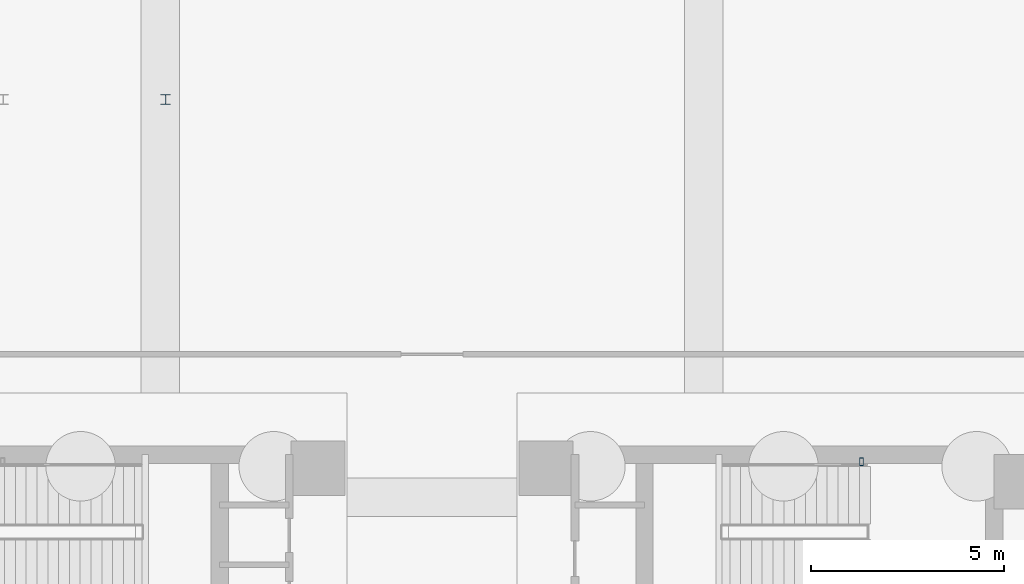
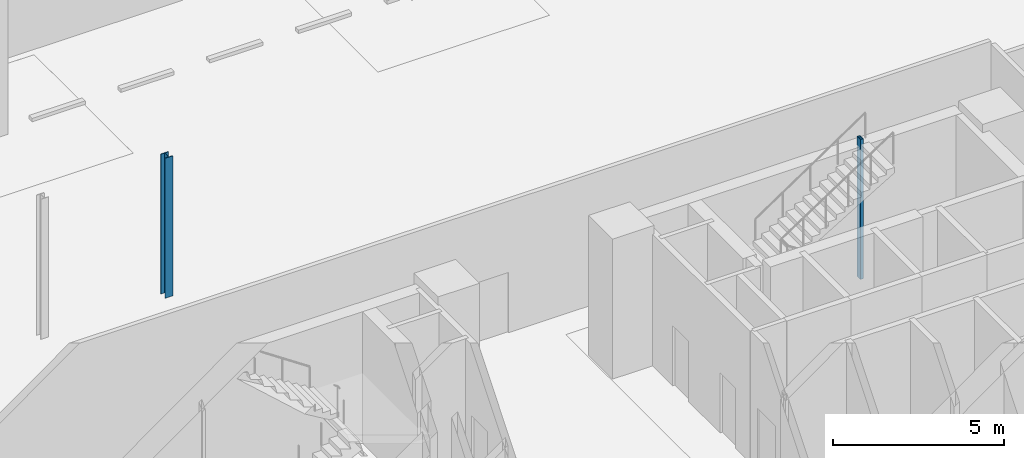
# One storey, part 7 of 16: 2 columns.
"""IFC4 building model written with IfcOpenShell, lengths in metres."""

from ifc_helpers import new_model, si_unit, direction, frame, origin, origin_2d, place, context, subcontext, project, spatial, hollow_rectangle, i_section, extrude, material, material_profile, profile_set, type_object, element, save


model = new_model("IFC4")

# Units and contexts
model_context = context("Model", 3, precision=1e-05, world=origin(), true_north=direction((0.0, 1.0)))
body_context = subcontext(model_context, "Body", "Model", "MODEL_VIEW")
ifc_project = project(units=[si_unit("LENGTHUNIT", "METRE"), si_unit("AREAUNIT", "SQUARE_METRE"), si_unit("VOLUMEUNIT", "CUBIC_METRE"), si_unit("PLANEANGLEUNIT", "RADIAN"), si_unit("MASSUNIT", "GRAM", prefix="KILO")], contexts=[model_context])

# Site, building, storey
site_placement = place(None, origin())
site = spatial("IfcSite", under=ifc_project, at=site_placement, CompositionType="ELEMENT")
building_placement = place(site_placement, origin())
building = spatial("IfcBuilding", under=site, at=building_placement, Name="Menara Jurai Vektor", CompositionType="ELEMENT")
storey_placement = place(building_placement, frame((0.0, 0.0, -5.0)))
storey = spatial("IfcBuildingStorey", under=building, at=storey_placement, Name="B1", CompositionType="ELEMENT", Elevation=-5.0)

# Columns
ifc_material = material(Name="Steel S355", Category="steel")
ifc_material_profile_1 = material_profile(ifc_material, i_section(OverallWidth=0.259033203125, OverallDepth=0.26708984375, WebThickness=0.012939453125, FlangeThickness=0.02099609375, FilletRadius=0.012939453125, at=origin_2d()), Name="UKC 254x254x107")
ifc_profile_set_1 = profile_set([ifc_material_profile_1], Name="Steel S355")
column_type_1 = type_object("IfcColumnType", Name="STR-COL-CANOPY", PredefinedType="COLUMN", material=ifc_profile_set_1)
column_1_placement = place(storey_placement, frame((-6.89990234375, 14.800048828125, 0.0), z_axis=(0.0, 0.0, 1.0), x_axis=(1.0, 0.0, 0.0)))
element("IfcColumn", 1, at=column_1_placement, inside=storey, type_object=column_type_1, Name="Canopy Support Sub-Column E4-2 B1", PredefinedType="COLUMN", context=body_context, shape_type="SweptSolid", body=[
    extrude(i_section(OverallWidth=0.259033203125, OverallDepth=0.26708984375, WebThickness=0.012939453125, FlangeThickness=0.02099609375, FilletRadius=0.012939453125, at=origin_2d()), origin(), (0.0, 0.0, 1.0), 5.0),
])
ifc_material_profile_2 = material_profile(ifc_material, hollow_rectangle(XDim=0.10009765625, YDim=0.199951171875, WallThickness=0.008056640625, at=origin_2d()), Name="RHS 200x100x8")
ifc_profile_set_2 = profile_set([ifc_material_profile_2], Name="Steel S355")
column_type_2 = type_object("IfcColumnType", Name="STR-COL-STAIR", PredefinedType="COLUMN", material=ifc_profile_set_2)
column_2_placement = place(storey_placement, frame((11.1201171875, 5.419921875, 0.0), z_axis=(0.0, 0.0, 1.0), x_axis=(1.0, 0.0, 0.0)))
element("IfcColumn", 2, at=column_2_placement, inside=storey, type_object=column_type_2, Name="Stair Well Header Column ST2-P2 B1", PredefinedType="COLUMN", context=body_context, shape_type="SweptSolid", body=[
    extrude(hollow_rectangle(XDim=0.10009765625, YDim=0.199951171875, WallThickness=0.008056640625, at=origin_2d()), origin(), (0.0, 0.0, 1.0), 5.0),
])

save(model, "model.ifc")
